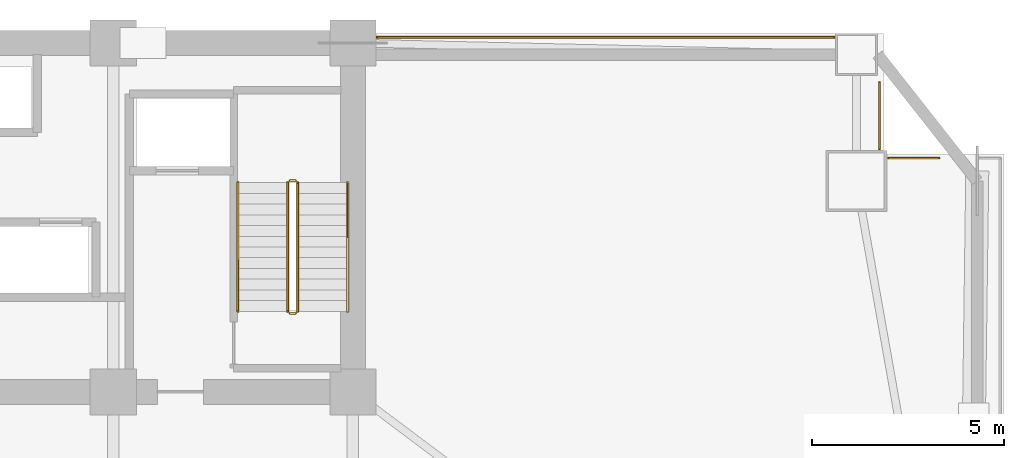
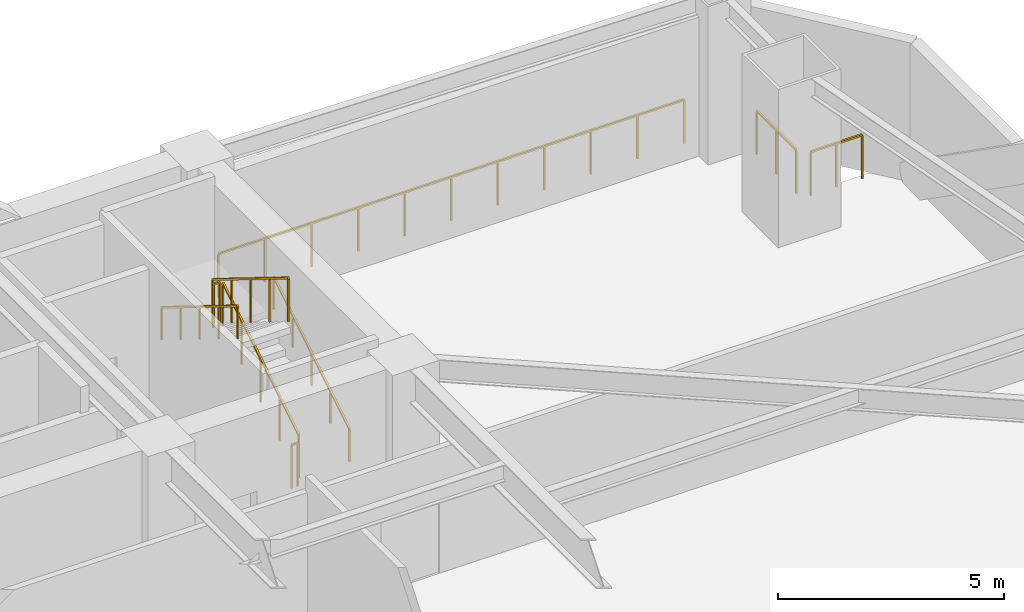
# One storey, part 8 of 9: 9 railings.
"""IFC4 building model written with IfcOpenShell, lengths in metres."""

from ifc_helpers import new_model, si_unit, direction, frame, origin, origin_2d, place, context, subcontext, project, spatial, rectangle, extrude, material, type_object, element, save


model = new_model("IFC4")

# Units and contexts
model_context = context("Model", 3, precision=1e-05, world=origin(), true_north=direction((0.0, 1.0)))
body_context = subcontext(model_context, "Body", "Model", "MODEL_VIEW")
ifc_project = project(units=[si_unit("LENGTHUNIT", "METRE"), si_unit("AREAUNIT", "SQUARE_METRE"), si_unit("VOLUMEUNIT", "CUBIC_METRE"), si_unit("PLANEANGLEUNIT", "RADIAN"), si_unit("MASSUNIT", "GRAM", prefix="KILO")], contexts=[model_context])

# Site, building, storey
site_placement = place(None, origin())
site = spatial("IfcSite", under=ifc_project, at=site_placement, CompositionType="ELEMENT")
building_placement = place(site_placement, origin())
building = spatial("IfcBuilding", under=site, at=building_placement, Name="Giltprow Tower", CompositionType="ELEMENT")
storey_placement = place(building_placement, frame((0.0, 0.0, 48.800048828125)))
storey = spatial("IfcBuildingStorey", under=building, at=storey_placement, Name="L12", CompositionType="ELEMENT", Elevation=48.800048828125)

# Railings
ifc_material = material(Name="Anodized bronze", Category="metal")
railing_type_1 = type_object("IfcRailingType", Name="RAIL-BALC-GUARD-1200", PredefinedType="BALUSTRADE", material=ifc_material)
railing_1_placement = place(storey_placement, frame((51.18505859375, 46.699951171875, 0.0)))
element("IfcRailing", 1, at=railing_1_placement, inside=storey, type_object=railing_type_1, Name="L12 Corner Apron Edge Balustrade 8", PredefinedType="BALUSTRADE", context=body_context, shape_type="SweptSolid", body=[
    extrude(rectangle(XDim=0.048095703125, YDim=0.048095703125, at=origin_2d()), frame((0.0, 0.0, 1.17578125), z_axis=(1.0, 0.0, 0.0), x_axis=(0.0, 1.0, 0.0)), (0.0, 0.0, 1.0), 11.911865234375),
    extrude(rectangle(XDim=0.0419921875, YDim=0.0419921875, at=origin_2d()), origin(), (0.0, 0.0, 1.0), 1.15185546875),
    extrude(rectangle(XDim=0.0419921875, YDim=0.0419921875, at=origin_2d()), frame((1.191162109375, 0.0, 0.0)), (0.0, 0.0, 1.0), 1.15185546875),
    extrude(rectangle(XDim=0.0419921875, YDim=0.0419921875, at=origin_2d()), frame((2.38232421875, 0.0, 0.0)), (0.0, 0.0, 1.0), 1.15185546875),
    extrude(rectangle(XDim=0.0419921875, YDim=0.0419921875, at=origin_2d()), frame((3.573486328125, 0.0, 0.0)), (0.0, 0.0, 1.0), 1.15185546875),
    extrude(rectangle(XDim=0.0419921875, YDim=0.0419921875, at=origin_2d()), frame((4.7646484375, 0.0, 0.0)), (0.0, 0.0, 1.0), 1.15185546875),
    extrude(rectangle(XDim=0.0419921875, YDim=0.0419921875, at=origin_2d()), frame((5.9560546875, 0.0, 0.0)), (0.0, 0.0, 1.0), 1.15185546875),
    extrude(rectangle(XDim=0.0419921875, YDim=0.0419921875, at=origin_2d()), frame((7.147216796875, 0.0, 0.0)), (0.0, 0.0, 1.0), 1.15185546875),
    extrude(rectangle(XDim=0.0419921875, YDim=0.0419921875, at=origin_2d()), frame((8.33837890625, 0.0, 0.0)), (0.0, 0.0, 1.0), 1.15185546875),
    extrude(rectangle(XDim=0.0419921875, YDim=0.0419921875, at=origin_2d()), frame((9.529541015625, 0.0, 0.0)), (0.0, 0.0, 1.0), 1.15185546875),
    extrude(rectangle(XDim=0.0419921875, YDim=0.0419921875, at=origin_2d()), frame((10.720703125, 0.0, 0.0)), (0.0, 0.0, 1.0), 1.15185546875),
    extrude(rectangle(XDim=0.0419921875, YDim=0.0419921875, at=origin_2d()), frame((11.911865234375, 0.0, 0.0)), (0.0, 0.0, 1.0), 1.15185546875),
])
railing_2_placement = place(storey_placement, frame((64.281982421875, 45.52392578125, 0.0)))
element("IfcRailing", 2, at=railing_2_placement, inside=storey, type_object=railing_type_1, Name="L12 Corner Apron Edge Balustrade 9", PredefinedType="BALUSTRADE", context=body_context, shape_type="SweptSolid", body=[
    extrude(rectangle(XDim=0.048095703125, YDim=0.048095703125, at=origin_2d()), frame((0.0, 0.0, 1.17578125), z_axis=(0.0, -1.0, 0.0), x_axis=(1.0, 0.0, 0.0)), (0.0, 0.0, 1.0), 1.73681640625),
    extrude(rectangle(XDim=0.0419921875, YDim=0.0419921875, at=origin_2d()), origin(), (0.0, 0.0, 1.0), 1.15185546875),
    extrude(rectangle(XDim=0.0419921875, YDim=0.0419921875, at=origin_2d()), frame((0.0, -0.868408203125, 0.0)), (0.0, 0.0, 1.0), 1.15185546875),
    extrude(rectangle(XDim=0.0419921875, YDim=0.0419921875, at=origin_2d()), frame((0.0, -1.73681640625, 0.0)), (0.0, 0.0, 1.0), 1.15185546875),
])
railing_3_placement = place(storey_placement, frame((64.51708984375, 43.552001953125, 0.0)))
element("IfcRailing", 3, at=railing_3_placement, inside=storey, type_object=railing_type_1, Name="L12 Corner Apron Edge Balustrade 10", PredefinedType="BALUSTRADE", context=body_context, shape_type="SweptSolid", body=[
    extrude(rectangle(XDim=0.048095703125, YDim=0.048095703125, at=origin_2d()), frame((0.0, 0.0, 1.17578125), z_axis=(1.0, 0.0, 0.0), x_axis=(0.0, 1.0, 0.0)), (0.0, 0.0, 1.0), 1.31787109375),
    extrude(rectangle(XDim=0.0419921875, YDim=0.0419921875, at=origin_2d()), origin(), (0.0, 0.0, 1.0), 1.15185546875),
    extrude(rectangle(XDim=0.0419921875, YDim=0.0419921875, at=origin_2d()), frame((0.658935546875, 0.0, 0.0)), (0.0, 0.0, 1.0), 1.15185546875),
    extrude(rectangle(XDim=0.0419921875, YDim=0.0419921875, at=origin_2d()), frame((1.31787109375, 0.0, 0.0)), (0.0, 0.0, 1.0), 1.15185546875),
])
railing_type_2 = type_object("IfcRailingType", Name="RAIL-STAIR-GUARD-1200", PredefinedType="GUARDRAIL", material=ifc_material)
railing_4_placement = place(storey_placement, frame((49.110107421875, 39.550048828125, 0.173095703125)))
element("IfcRailing", 4, at=railing_4_placement, inside=storey, type_object=railing_type_2, Name="L12 ST-3 stair guard 1", PredefinedType="GUARDRAIL", context=body_context, shape_type="SweptSolid", body=[
    extrude(rectangle(XDim=0.048095703125, YDim=0.048095703125, at=origin_2d()), frame((0.0, 0.0, 1.17578125), z_axis=(0.0, 0.850606129759, 0.525803396734), x_axis=(-1.0, 0.0, 0.0)), (0.0, 0.0, 1.0), 3.949951171875),
    extrude(rectangle(XDim=0.0419921875, YDim=0.0419921875, at=origin_2d()), origin(), (0.0, 0.0, 1.0), 1.15185546875),
    extrude(rectangle(XDim=0.0419921875, YDim=0.0419921875, at=origin_2d()), frame((0.0, 0.83984375, 0.519287109375)), (0.0, 0.0, 1.0), 1.15185546875),
    extrude(rectangle(XDim=0.0419921875, YDim=0.0419921875, at=origin_2d()), frame((0.0, 1.679931640625, 1.03857421875)), (0.0, 0.0, 1.0), 1.15185546875),
    extrude(rectangle(XDim=0.0419921875, YDim=0.0419921875, at=origin_2d()), frame((0.0, 2.52001953125, 1.5576171875)), (0.0, 0.0, 1.0), 1.15185546875),
    extrude(rectangle(XDim=0.0419921875, YDim=0.0419921875, at=origin_2d()), frame((0.0, 3.35986328125, 2.076904296875)), (0.0, 0.0, 1.0), 1.15185546875),
])
railing_5_placement = place(storey_placement, frame((49.06005859375, 42.9599609375, 2.25)))
element("IfcRailing", 5, at=railing_5_placement, inside=storey, type_object=railing_type_2, Name="L12 ST-3 stair guard 2", PredefinedType="GUARDRAIL", context=body_context, shape_type="SweptSolid", body=[
    extrude(rectangle(XDim=0.048095703125, YDim=0.048095703125, at=origin_2d()), frame((0.0, 0.0, 1.17578125), z_axis=(-1.0, 0.0, 0.0), x_axis=(0.0, -1.0, 0.0)), (0.0, 0.0, 1.0), 0.16015625),
    extrude(rectangle(XDim=0.0419921875, YDim=0.0419921875, at=origin_2d()), origin(), (0.0, 0.0, 1.0), 1.15185546875),
    extrude(rectangle(XDim=0.0419921875, YDim=0.0419921875, at=origin_2d()), frame((-0.16015625, 0.0, 0.0)), (0.0, 0.0, 1.0), 1.15185546875),
])
railing_6_placement = place(storey_placement, frame((48.85009765625, 42.909912109375, 2.423095703125)))
element("IfcRailing", 6, at=railing_6_placement, inside=storey, type_object=railing_type_2, Name="L12 ST-3 stair guard 3", PredefinedType="GUARDRAIL", context=body_context, shape_type="SweptSolid", body=[
    extrude(rectangle(XDim=0.048095703125, YDim=0.048095703125, at=origin_2d()), frame((0.0, 0.0, 1.17578125), z_axis=(0.0, -0.850606129759, 0.525803396734), x_axis=(1.0, 0.0, 0.0)), (0.0, 0.0, 1.0), 3.949951171875),
    extrude(rectangle(XDim=0.0419921875, YDim=0.0419921875, at=origin_2d()), origin(), (0.0, 0.0, 1.0), 1.15185546875),
    extrude(rectangle(XDim=0.0419921875, YDim=0.0419921875, at=origin_2d()), frame((0.0, -0.83984375, 0.519287109375)), (0.0, 0.0, 1.0), 1.15185546875),
    extrude(rectangle(XDim=0.0419921875, YDim=0.0419921875, at=origin_2d()), frame((0.0, -1.679931640625, 1.03857421875)), (0.0, 0.0, 1.0), 1.15185546875),
    extrude(rectangle(XDim=0.0419921875, YDim=0.0419921875, at=origin_2d()), frame((0.0, -2.52001953125, 1.5576171875)), (0.0, 0.0, 1.0), 1.15185546875),
    extrude(rectangle(XDim=0.0419921875, YDim=0.0419921875, at=origin_2d()), frame((0.0, -3.35986328125, 2.076904296875)), (0.0, 0.0, 1.0), 1.15185546875),
])
railing_7_placement = place(storey_placement, frame((49.06005859375, 39.5, 0.0)))
element("IfcRailing", 7, at=railing_7_placement, inside=storey, type_object=railing_type_2, Name="L12 ST-3 stair guard 4", PredefinedType="GUARDRAIL", context=body_context, shape_type="SweptSolid", body=[
    extrude(rectangle(XDim=0.048095703125, YDim=0.048095703125, at=origin_2d()), frame((0.0, 0.0, 1.17578125), z_axis=(-1.0, 0.0, 0.0), x_axis=(0.0, -1.0, 0.0)), (0.0, 0.0, 1.0), 0.16015625),
    extrude(rectangle(XDim=0.0419921875, YDim=0.0419921875, at=origin_2d()), origin(), (0.0, 0.0, 1.0), 1.15185546875),
    extrude(rectangle(XDim=0.0419921875, YDim=0.0419921875, at=origin_2d()), frame((-0.16015625, 0.0, 0.0)), (0.0, 0.0, 1.0), 1.15185546875),
])
railing_type_3 = type_object("IfcRailingType", Name="RAIL-STAIR-HAND-900", PredefinedType="HANDRAIL", material=ifc_material)
railing_8_placement = place(storey_placement, frame((50.409912109375, 39.550048828125, 0.173095703125)))
element("IfcRailing", 8, at=railing_8_placement, inside=storey, type_object=railing_type_3, Name="L12 ST-3 stair handrail 1", PredefinedType="HANDRAIL", context=body_context, shape_type="SweptSolid", body=[
    extrude(rectangle(XDim=0.048095703125, YDim=0.048095703125, at=origin_2d()), frame((0.0, 0.0, 0.8759765625), z_axis=(0.0, 0.850606129759, 0.525803396734), x_axis=(-1.0, 0.0, 0.0)), (0.0, 0.0, 1.0), 3.949951171875),
    extrude(rectangle(XDim=0.0419921875, YDim=0.0419921875, at=origin_2d()), origin(), (0.0, 0.0, 1.0), 0.851806640625),
    extrude(rectangle(XDim=0.0419921875, YDim=0.0419921875, at=origin_2d()), frame((0.0, 0.83984375, 0.519287109375)), (0.0, 0.0, 1.0), 0.851806640625),
    extrude(rectangle(XDim=0.0419921875, YDim=0.0419921875, at=origin_2d()), frame((0.0, 1.679931640625, 1.03857421875)), (0.0, 0.0, 1.0), 0.851806640625),
    extrude(rectangle(XDim=0.0419921875, YDim=0.0419921875, at=origin_2d()), frame((0.0, 2.52001953125, 1.5576171875)), (0.0, 0.0, 1.0), 0.851806640625),
    extrude(rectangle(XDim=0.0419921875, YDim=0.0419921875, at=origin_2d()), frame((0.0, 3.35986328125, 2.076904296875)), (0.0, 0.0, 1.0), 0.851806640625),
])
railing_9_placement = place(storey_placement, frame((47.550048828125, 42.909912109375, 2.423095703125)))
element("IfcRailing", 9, at=railing_9_placement, inside=storey, type_object=railing_type_3, Name="L12 ST-3 stair handrail 2", PredefinedType="HANDRAIL", context=body_context, shape_type="SweptSolid", body=[
    extrude(rectangle(XDim=0.048095703125, YDim=0.048095703125, at=origin_2d()), frame((0.0, 0.0, 0.8759765625), z_axis=(0.0, -0.850606129759, 0.525803396734), x_axis=(1.0, 0.0, 0.0)), (0.0, 0.0, 1.0), 3.949951171875),
    extrude(rectangle(XDim=0.0419921875, YDim=0.0419921875, at=origin_2d()), origin(), (0.0, 0.0, 1.0), 0.851806640625),
    extrude(rectangle(XDim=0.0419921875, YDim=0.0419921875, at=origin_2d()), frame((0.0, -0.83984375, 0.519287109375)), (0.0, 0.0, 1.0), 0.851806640625),
    extrude(rectangle(XDim=0.0419921875, YDim=0.0419921875, at=origin_2d()), frame((0.0, -1.679931640625, 1.03857421875)), (0.0, 0.0, 1.0), 0.851806640625),
    extrude(rectangle(XDim=0.0419921875, YDim=0.0419921875, at=origin_2d()), frame((0.0, -2.52001953125, 1.5576171875)), (0.0, 0.0, 1.0), 0.851806640625),
    extrude(rectangle(XDim=0.0419921875, YDim=0.0419921875, at=origin_2d()), frame((0.0, -3.35986328125, 2.076904296875)), (0.0, 0.0, 1.0), 0.851806640625),
])

save(model, "model.ifc")
